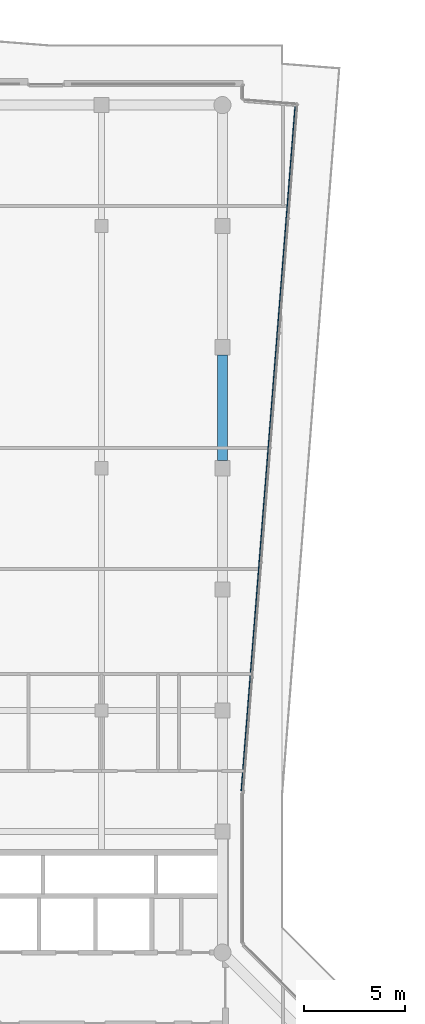
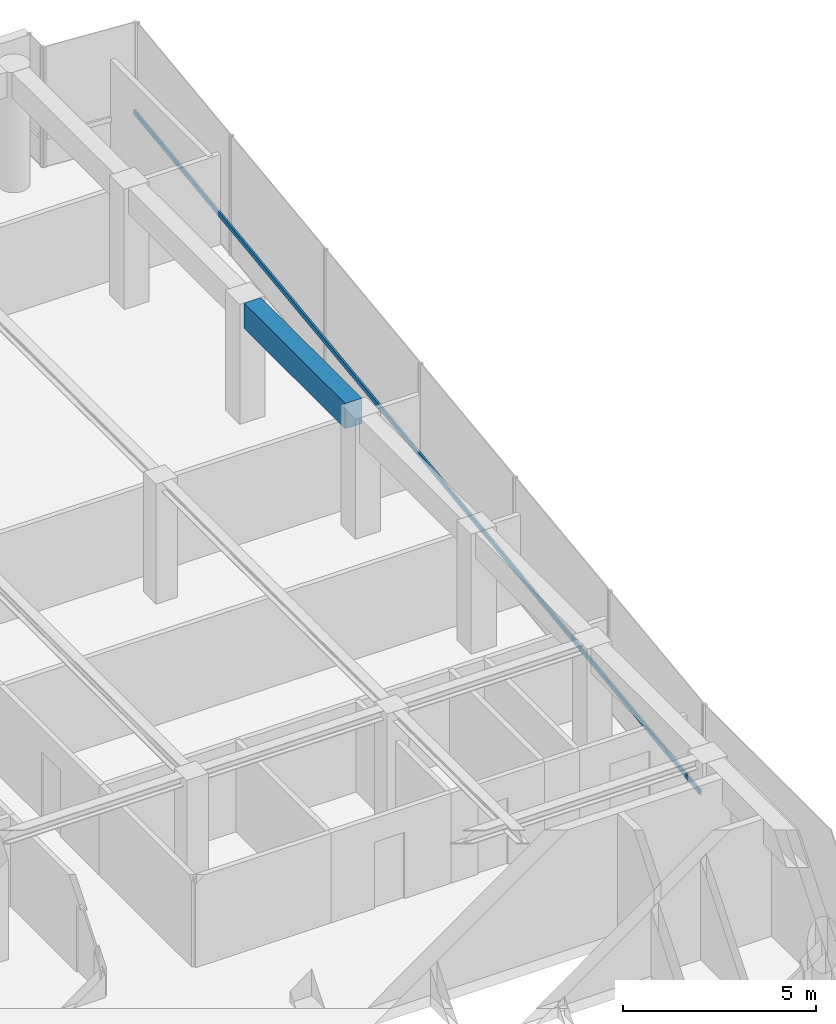
# One storey, part 12 of 22: 1 beam, 1 member, 1 element without a shape of its own.
"""IFC4 building model written with IfcOpenShell, lengths in metres."""

from ifc_helpers import new_model, si_unit, direction, frame, origin, origin_2d, place, context, subcontext, project, spatial, rectangle, extrude, material, layer, layer_set, material_profile, profile_set, type_object, element, aggregate, save


model = new_model("IFC4")

# Units and contexts
model_context = context("Model", 3, precision=1e-05, world=origin(), true_north=direction((0.0, 1.0)))
body_context = subcontext(model_context, "Body", "Model", "MODEL_VIEW")
ifc_project = project(units=[si_unit("LENGTHUNIT", "METRE"), si_unit("AREAUNIT", "SQUARE_METRE"), si_unit("VOLUMEUNIT", "CUBIC_METRE"), si_unit("PLANEANGLEUNIT", "RADIAN"), si_unit("MASSUNIT", "GRAM", prefix="KILO")], contexts=[model_context])

# Site, building, storey
site_placement = place(None, origin())
site = spatial("IfcSite", under=ifc_project, at=site_placement, CompositionType="ELEMENT")
building_placement = place(site_placement, origin())
building = spatial("IfcBuilding", under=site, at=building_placement, Name="Welwitschia Terrace Campus", CompositionType="ELEMENT")
storey_placement = place(building_placement, frame((0.0, 0.0, 268.39990234375)))
storey = spatial("IfcBuildingStorey", under=building, at=storey_placement, Name="L59", CompositionType="ELEMENT", Elevation=268.39990234375)

# Beam
ifc_material_1 = material(Name="Concrete C50/60", Category="concrete")
ifc_material_profile_1 = material_profile(ifc_material_1, rectangle(XDim=0.5, YDim=0.800048828125, at=origin_2d()))
ifc_profile_set_1 = profile_set([ifc_material_profile_1], Name="Concrete C50/60")
beam_type = type_object("IfcBeamType", Name="Ring spandrel 500x800", PredefinedType="SPANDREL", material=ifc_profile_set_1)
beam_placement = place(storey_placement, frame((24.0, 44.37548828125, 3.400146484375), z_axis=(0.0, 1.0, 0.0), x_axis=(-1.0, 0.0, 0.0)))
element("IfcBeam", 1, at=beam_placement, inside=storey, type_object=beam_type, Name="Spandrel SP4", PredefinedType="SPANDREL", context=body_context, shape_type="SweptSolid", body=[
    extrude(rectangle(XDim=0.5, YDim=0.800048828125, at=origin_2d()), origin(), (0.0, 0.0, 1.0), 5.2490234375),
])

# Curtain wall, member
ifc_material_2 = material(Name="Bronze anodised aluminium", Category="aluminium")
ifc_layer = layer(ifc_material_2, 0.1201171875)
ifc_layer_set = layer_set([ifc_layer], Name="Bronze anodised aluminium")
curtain_wall_type = type_object("IfcCurtainWallType", Name="Curtain wall CW2 tower 6000", PredefinedType="NOTDEFINED", material=ifc_layer_set)
curtain_wall_placement = place(storey_placement, origin())
curtain_wall = element("IfcCurtainWall", 2, at=curtain_wall_placement, inside=storey, type_object=curtain_wall_type, Name="CW L59.8.0", PredefinedType="NOTDEFINED")
ifc_material_3 = material(Name="Bronze anodised aluminium", Category="aluminium")
ifc_material_profile_2 = material_profile(ifc_material_3, rectangle(XDim=0.06005859375, YDim=0.14990234375, at=origin_2d()))
ifc_profile_set_2 = profile_set([ifc_material_profile_2], Name="Bronze anodised aluminium")
member_type = type_object("IfcMemberType", Name="Transom 60x150", PredefinedType="USERDEFINED", material=ifc_profile_set_2)
member_placement = place(storey_placement, frame((24.945068359375, 28.0205078125, 1.0), z_axis=(0.078454483375, 0.996917696722, 0.0), x_axis=(-0.996917696722, 0.078454483375, 0.0)))
member = element("IfcMember", 3, at=member_placement, type_object=member_type, Name="Transom L59.8.0", ObjectType="TRANSOM", PredefinedType="USERDEFINED", context=body_context, shape_type="SweptSolid", body=[
    extrude(rectangle(XDim=0.06005859375, YDim=0.14990234375, at=origin_2d()), origin(), (0.0, 0.0, 1.0), 34.08740234375),
])
aggregate(curtain_wall, [member])

save(model, "model.ifc")
